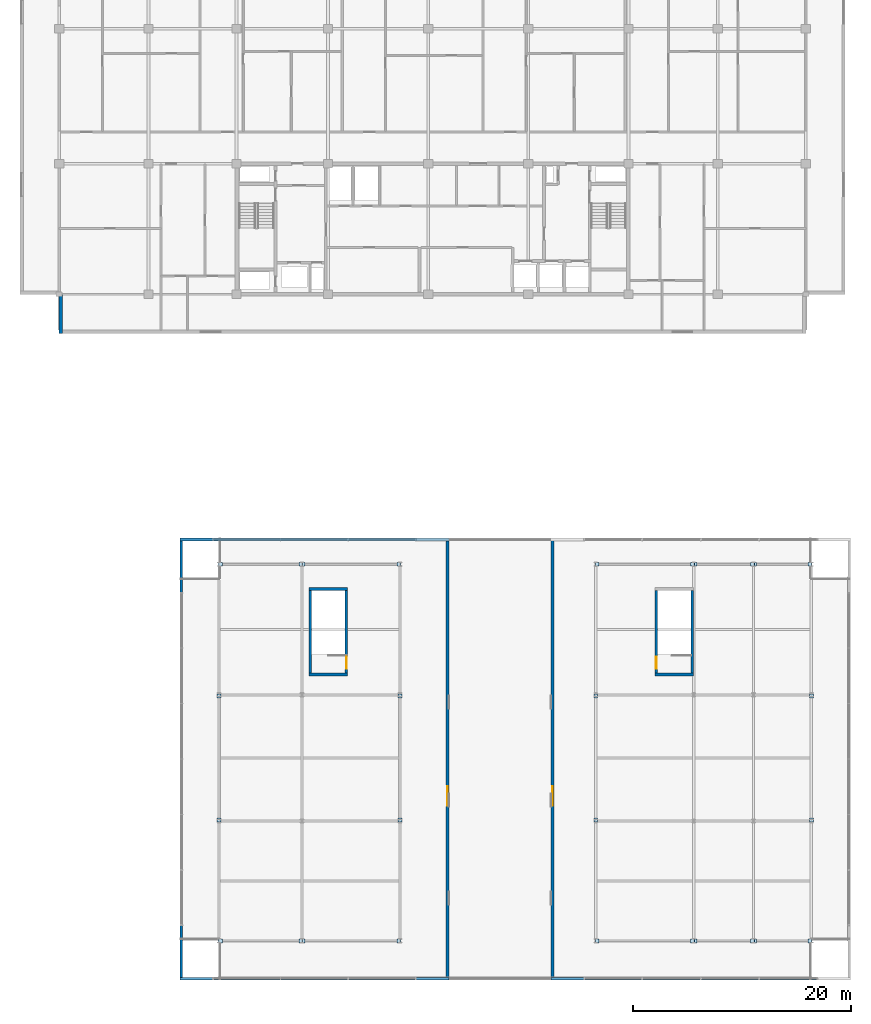
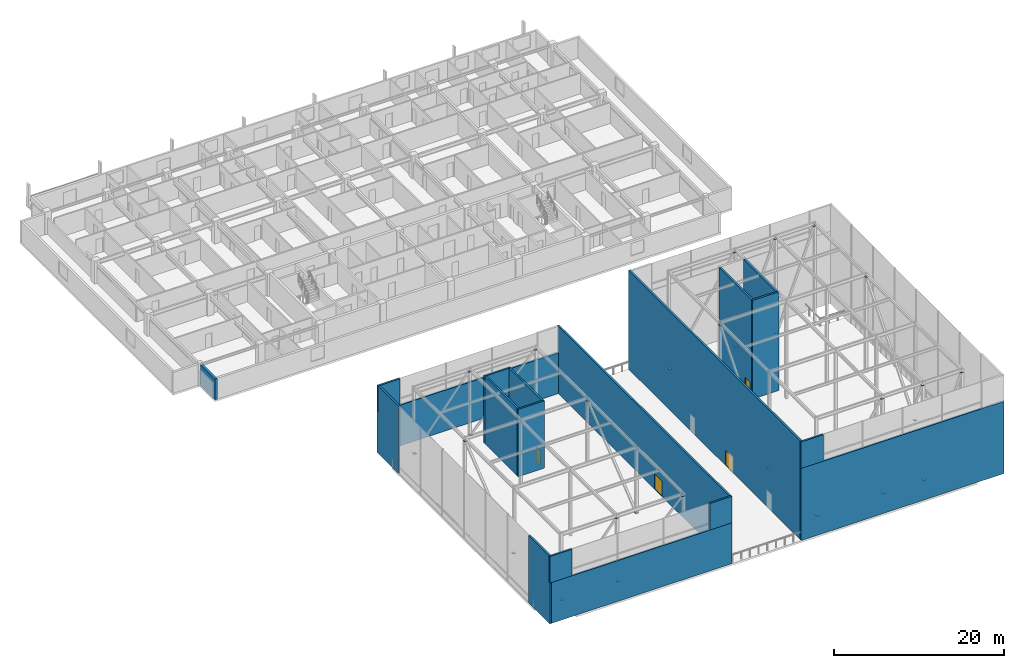
# One storey, part 32 of 42: 28 plates, 19 walls, 4 doors, 4 openings.
"""IFC4 building model written with IfcOpenShell, lengths in metres."""

from ifc_helpers import new_model, si_unit, direction, frame, frame_2d, origin, origin_2d, place, context, subcontext, project, spatial, rectangle, extrude, material, layer, layer_set, type_object, element, fill, save


model = new_model("IFC4")

# Units and contexts
model_context = context("Model", 3, precision=1e-05, world=origin(), true_north=direction((0.0, 1.0)))
body_context = subcontext(model_context, "Body", "Model", "MODEL_VIEW")
ifc_project = project(units=[si_unit("LENGTHUNIT", "METRE"), si_unit("AREAUNIT", "SQUARE_METRE"), si_unit("VOLUMEUNIT", "CUBIC_METRE"), si_unit("PLANEANGLEUNIT", "RADIAN"), si_unit("MASSUNIT", "GRAM", prefix="KILO")], contexts=[model_context])

# Site, building, storey
site_placement = place(None, origin())
site = spatial("IfcSite", under=ifc_project, at=site_placement, CompositionType="ELEMENT")
building_placement = place(site_placement, origin())
building = spatial("IfcBuilding", under=site, at=building_placement, Name="Korimba Cascade Residences", CompositionType="ELEMENT")
storey_placement = place(building_placement, frame((0.0, 0.0, 207.60009765625)))
storey = spatial("IfcBuildingStorey", under=building, at=storey_placement, Name="L60", CompositionType="ELEMENT", Elevation=207.60009765625)

# Plates
ifc_material_1 = material(Name="Steel S460", Category="steel")
ifc_layer_1 = layer(ifc_material_1, 0.028076171875)
ifc_layer_set_1 = layer_set([ifc_layer_1], Name="Steel S460")
plate_type = type_object("IfcPlateType", Name="PLT-ENDCAP-28", PredefinedType="USERDEFINED", material=ifc_layer_set_1)
for number, where, z_axis, x_axis, name in (
    (1, (74.60498046875, -4.199951171875, 0.005859375), (0.0, 0.0, 1.0), (1.0, 0.0, 0.0), "L60 Brace Welded End Connection Plate 130"),
    (2, (81.9951171875, -4.199951171875, 9.181640625), (0.0, 0.0, 1.0), (1.0, 0.0, 0.0), "L60 Brace Welded End Connection Plate 131"),
    (3, (82.205078125, -4.199951171875, 0.005859375), (0.0, 0.0, 1.0), (1.0, 0.0, 0.0), "L60 Brace Welded End Connection Plate 132"),
    (4, (90.9951171875, -4.199951171875, 9.181640625), (0.0, 0.0, 1.0), (1.0, 0.0, 0.0), "L60 Brace Welded End Connection Plate 133"),
    (5, (74.60498046875, 30.39990234375, 0.005859375), (0.0, 0.0, 1.0), (1.0, 0.0, 0.0), "L60 Brace Welded End Connection Plate 134"),
    (6, (81.9951171875, 30.39990234375, 9.181640625), (0.0, 0.0, 1.0), (1.0, 0.0, 0.0), "L60 Brace Welded End Connection Plate 135"),
    (7, (82.205078125, 30.39990234375, 0.005859375), (0.0, 0.0, 1.0), (1.0, 0.0, 0.0), "L60 Brace Welded End Connection Plate 136"),
    (8, (90.9951171875, 30.39990234375, 9.181640625), (0.0, 0.0, 1.0), (1.0, 0.0, 0.0), "L60 Brace Welded End Connection Plate 137"),
    (9, (74.5, 6.905029296875, 0.005859375), (0.0, 0.0, 1.0), (1.0, 0.0, 0.0), "L60 Brace Welded End Connection Plate 138"),
    (10, (74.5, 18.294921875, 9.181640625), (0.0, 0.0, 1.0), (1.0, 0.0, 0.0), "L60 Brace Welded End Connection Plate 139"),
    (11, (91.10009765625, 6.905029296875, 0.005859375), (0.0, 0.0, 1.0), (1.0, 0.0, 0.0), "L60 Brace Welded End Connection Plate 140"),
    (12, (91.10009765625, 18.294921875, 9.181640625), (0.0, 0.0, 1.0), (1.0, 0.0, 0.0), "L60 Brace Welded End Connection Plate 141"),
    (13, (109.205078125, -4.199951171875, 0.005859375), (0.0, 0.0, 1.0), (1.0, 0.0, 0.0), "L60 Brace Welded End Connection Plate 142"),
    (14, (117.9951171875, -4.199951171875, 13.681640625), (0.0, 0.0, 1.0), (1.0, 0.0, 0.0), "L60 Brace Welded End Connection Plate 143"),
    (15, (118.205078125, -4.199951171875, 0.005859375), (0.0, 0.0, 1.0), (1.0, 0.0, 0.0), "L60 Brace Welded End Connection Plate 144"),
    (16, (123.4951171875, -4.199951171875, 13.681640625), (0.0, 0.0, 1.0), (1.0, 0.0, 0.0), "L60 Brace Welded End Connection Plate 145"),
    (17, (123.705078125, -4.199951171875, 0.005859375), (0.0, 0.0, 1.0), (1.0, 0.0, 0.0), "L60 Brace Welded End Connection Plate 146"),
    (18, (128.794921875, -4.199951171875, 13.681640625), (0.0, 0.0, 1.0), (1.0, 0.0, 0.0), "L60 Brace Welded End Connection Plate 147"),
    (19, (109.205078125, 30.39990234375, 0.005859375), (0.0, 0.0, 1.0), (1.0, 0.0, 0.0), "L60 Brace Welded End Connection Plate 148"),
    (20, (117.9951171875, 30.39990234375, 13.681640625), (0.0, 0.0, 1.0), (1.0, 0.0, 0.0), "L60 Brace Welded End Connection Plate 149"),
    (21, (118.205078125, 30.39990234375, 0.005859375), (0.0, 0.0, 1.0), (1.0, 0.0, 0.0), "L60 Brace Welded End Connection Plate 150"),
    (22, (123.4951171875, 30.39990234375, 13.681640625), (0.0, 0.0, 1.0), (1.0, 0.0, 0.0), "L60 Brace Welded End Connection Plate 151"),
    (23, (123.705078125, 30.39990234375, 0.005859375), (0.0, 0.0, 1.0), (1.0, 0.0, 0.0), "L60 Brace Welded End Connection Plate 152"),
    (24, (128.794921875, 30.39990234375, 13.681640625), (0.0, 0.0, 1.0), (1.0, 0.0, 0.0), "L60 Brace Welded End Connection Plate 153"),
    (25, (109.10009765625, 6.905029296875, 0.005859375), (0.0, 0.0, 1.0), (1.0, 0.0, 0.0), "L60 Brace Welded End Connection Plate 154"),
    (26, (109.10009765625, 18.294921875, 13.681640625), (0.0, 0.0, 1.0), (1.0, 0.0, 0.0), "L60 Brace Welded End Connection Plate 155"),
    (27, (128.89990234375, 6.905029296875, 0.005859375), (0.0, 0.0, 1.0), (1.0, 0.0, 0.0), "L60 Brace Welded End Connection Plate 156"),
    (28, (128.89990234375, 18.294921875, 13.681640625), (0.0, 0.0, 1.0), (1.0, 0.0, 0.0), "L60 Brace Welded End Connection Plate 157"),
):
    element("IfcPlate", number, at=place(storey_placement, frame(where, z_axis=z_axis, x_axis=x_axis)), inside=storey, type_object=plate_type, Name=name, ObjectType="CAP PLATE", PredefinedType="USERDEFINED", context=body_context, shape_type="SweptSolid", body=[
        extrude(rectangle(XDim=0.360107421875, YDim=0.360107421875, at=origin_2d()), origin(), (0.0, 0.0, 1.0), 0.028076171875),
    ])

# Walls
ifc_material_2 = material(Name="Precast concrete C40/50", Category="concrete")
ifc_layer_2 = layer(ifc_material_2, 0.25)
ifc_layer_set_2 = layer_set([ifc_layer_2], Name="Precast concrete C40/50")
wall_type_1 = type_object("IfcWallType", Name="EW-PLNT-250", PredefinedType="SHEAR", material=ifc_layer_set_2)
wall_1_placement = place(storey_placement, frame((70.89990234375, -7.675048828125, 0.0), z_axis=(0.0, 0.0, 1.0), x_axis=(1.0, 0.0, 0.0)))
element("IfcWall", 29, at=wall_1_placement, inside=storey, type_object=wall_type_1, Name="L60 Crown W South Stone Cladding Wall", PredefinedType="SHEAR", context=body_context, shape_type="SweptSolid", body=[
    extrude(rectangle(XDim=24.7001953125, YDim=0.25, at=frame_2d((12.35009765625, 0.0))), origin(), (0.0, 0.0, 1.0), 5.849853515625),
])
for number, where, z_axis, x_axis, name in (
    (30, (70.89990234375, -7.675048828125, 5.849853515625), (0.0, 0.0, 1.0), (1.0, 0.0, 0.0), "L60 Crown W South Clerestory Pier 1"),
    (31, (92.60009765625, -7.675048828125, 5.849853515625), (0.0, 0.0, 1.0), (1.0, 0.0, 0.0), "L60 Crown W South Clerestory Pier 2"),
):
    element("IfcWall", number, at=place(storey_placement, frame(where, z_axis=z_axis, x_axis=x_axis)), inside=storey, type_object=wall_type_1, Name=name, PredefinedType="SHEAR", context=body_context, shape_type="SweptSolid", body=[
        extrude(rectangle(XDim=3.0, YDim=0.25, at=frame_2d((1.5, 0.0))), origin(), (0.0, 0.0, 1.0), 3.800048828125),
    ])
wall_2_placement = place(storey_placement, frame((95.60009765625, 32.675048828125, 0.0), z_axis=(0.0, 0.0, 1.0), x_axis=(-1.0, 0.0, 0.0)))
element("IfcWall", 32, at=wall_2_placement, inside=storey, type_object=wall_type_1, Name="L60 Crown W North Stone Cladding Wall", PredefinedType="SHEAR", context=body_context, shape_type="SweptSolid", body=[
    extrude(rectangle(XDim=24.7001953125, YDim=0.25, at=frame_2d((12.35009765625, 0.0))), origin(), (0.0, 0.0, 1.0), 5.849853515625),
])
wall_3_placement = place(storey_placement, frame((73.89990234375, 32.675048828125, 5.849853515625), z_axis=(0.0, 0.0, 1.0), x_axis=(-1.0, 0.0, 0.0)))
element("IfcWall", 33, at=wall_3_placement, inside=storey, type_object=wall_type_1, Name="L60 Crown W North Clerestory Pier 2", PredefinedType="SHEAR", context=body_context, shape_type="SweptSolid", body=[
    extrude(rectangle(XDim=3.0, YDim=0.25, at=frame_2d((1.5, 0.0))), origin(), (0.0, 0.0, 1.0), 3.800048828125),
])
for number, where, z_axis, x_axis, name in (
    (34, (71.02490234375, -7.800048828125, 0.0), (0.0, 0.0, 1.0), (0.0, 1.0, 0.0), "L60 Crown W Outer Corner Pier 1"),
    (35, (71.02490234375, 27.800048828125, 0.0), (0.0, 0.0, 1.0), (0.0, 1.0, 0.0), "L60 Crown W Outer Corner Pier 2"),
):
    element("IfcWall", number, at=place(storey_placement, frame(where, z_axis=z_axis, x_axis=x_axis)), inside=storey, type_object=wall_type_1, Name=name, PredefinedType="SHEAR", context=body_context, shape_type="SweptSolid", body=[
        extrude(rectangle(XDim=5.0, YDim=0.25, at=frame_2d((2.5, 0.0))), origin(), (0.0, 0.0, 1.0), 9.64990234375),
    ])

# Wall, opening, door
wall_4_placement = place(storey_placement, frame((95.47509765625, -7.800048828125, 0.0), z_axis=(0.0, 0.0, 1.0), x_axis=(0.0, 1.0, 0.0)))
wall_4 = element("IfcWall", 36, at=wall_4_placement, inside=storey, type_object=wall_type_1, Name="L60 Crown W Cleft Stone Wall", PredefinedType="SHEAR", context=body_context, shape_type="SweptSolid", body=[
    extrude(rectangle(XDim=40.60009765625, YDim=0.25, at=frame_2d((20.300048828125, 0.0))), origin(), (0.0, 0.0, 1.0), 9.64990234375),
])
opening_1_placement = place(wall_4_placement, frame((16.0, 0.0, 0.0)))
opening_1 = element("IfcOpeningElement", 37, at=opening_1_placement, cuts=wall_4, Name="Opening D-EX2", PredefinedType="OPENING", context=body_context, shape_type="SweptSolid", body=[
    extrude(rectangle(XDim=1.800048828125, YDim=2.199951171875, at=frame_2d((0.89990234375, 1.10009765625))), frame((0.0, 0.135009765625, 0.0), z_axis=(0.0, -1.0, 0.0), x_axis=(1.0, 0.0, 0.0)), (0.0, 0.0, 1.0), 0.27001953125),
])
ifc_material_3 = material(Name="Galvanised Steel Fire Exit Door", Category="steel")
door_type_1 = type_object("IfcDoorType", Name="DR-EXT-EXIT", OperationType="NOTDEFINED", PredefinedType="DOOR", material=ifc_material_3)
door_1_placement = place(opening_1_placement, origin())
door_1 = element("IfcDoor", 38, at=door_1_placement, inside=storey, type_object=door_type_1, Name="L60 Crown W Sky-Slot Maintenance Door", OperationType="DOUBLE_DOOR_SINGLE_SWING", OverallHeight=2.199951171875, OverallWidth=1.800048828125, PredefinedType="DOOR", context=body_context, shape_type="SweptSolid", body=[
    extrude(rectangle(XDim=1.800048828125, YDim=2.199951171875, at=frame_2d((0.89990234375, 1.10009765625))), frame((0.0, 0.02490234375, 0.0), z_axis=(0.0, -1.0, 0.0), x_axis=(1.0, 0.0, 0.0)), (0.0, 0.0, 1.0), 0.050048828125),
])
fill(opening_1, door_1)

# Walls
wall_5_placement = place(storey_placement, frame((105.0, -7.675048828125, 0.0), z_axis=(0.0, 0.0, 1.0), x_axis=(1.0, 0.0, 0.0)))
element("IfcWall", 39, at=wall_5_placement, inside=storey, type_object=wall_type_1, Name="L60 Crown E South Stone Cladding Wall", PredefinedType="SHEAR", context=body_context, shape_type="SweptSolid", body=[
    extrude(rectangle(XDim=27.5, YDim=0.25, at=frame_2d((13.75, 0.0))), origin(), (0.0, 0.0, 1.0), 10.349853515625),
])
wall_6_placement = place(storey_placement, frame((105.0, -7.675048828125, 10.349853515625), z_axis=(0.0, 0.0, 1.0), x_axis=(1.0, 0.0, 0.0)))
element("IfcWall", 40, at=wall_6_placement, inside=storey, type_object=wall_type_1, Name="L60 Crown E South Clerestory Pier 1", PredefinedType="SHEAR", context=body_context, shape_type="SweptSolid", body=[
    extrude(rectangle(XDim=3.0, YDim=0.25, at=frame_2d((1.5, 0.0))), origin(), (0.0, 0.0, 1.0), 3.800048828125),
])

# Wall, opening, door
wall_7_placement = place(storey_placement, frame((105.125, -7.800048828125, 0.0), z_axis=(0.0, 0.0, 1.0), x_axis=(0.0, 1.0, 0.0)))
wall_7 = element("IfcWall", 41, at=wall_7_placement, inside=storey, type_object=wall_type_1, Name="L60 Crown E Cleft Stone Wall", PredefinedType="SHEAR", context=body_context, shape_type="SweptSolid", body=[
    extrude(rectangle(XDim=40.60009765625, YDim=0.25, at=frame_2d((20.300048828125, 0.0))), origin(), (0.0, 0.0, 1.0), 14.14990234375),
])
opening_2_placement = place(wall_7_placement, frame((16.0, 0.0, 0.0)))
opening_2 = element("IfcOpeningElement", 42, at=opening_2_placement, cuts=wall_7, Name="Opening D-EX2", PredefinedType="OPENING", context=body_context, shape_type="SweptSolid", body=[
    extrude(rectangle(XDim=1.800048828125, YDim=2.199951171875, at=frame_2d((0.89990234375, 1.10009765625))), frame((0.0, 0.135009765625, 0.0), z_axis=(0.0, -1.0, 0.0), x_axis=(1.0, 0.0, 0.0)), (0.0, 0.0, 1.0), 0.27001953125),
])
door_2_placement = place(opening_2_placement, origin())
door_2 = element("IfcDoor", 43, at=door_2_placement, inside=storey, type_object=door_type_1, Name="L60 Crown E Sky-Slot Maintenance Door", OperationType="DOUBLE_DOOR_SINGLE_SWING", OverallHeight=2.199951171875, OverallWidth=1.800048828125, PredefinedType="DOOR", context=body_context, shape_type="SweptSolid", body=[
    extrude(rectangle(XDim=1.800048828125, YDim=2.199951171875, at=frame_2d((0.89990234375, 1.10009765625))), frame((0.0, 0.02490234375, 0.0), z_axis=(0.0, -1.0, 0.0), x_axis=(1.0, 0.0, 0.0)), (0.0, 0.0, 1.0), 0.050048828125),
])
fill(opening_2, door_2)

# Walls
ifc_layer_3 = layer(ifc_material_2, 0.300048828125)
ifc_layer_set_3 = layer_set([ifc_layer_3], Name="Precast concrete C40/50")
wall_type_2 = type_object("IfcWallType", Name="EW-STONE-300", PredefinedType="STANDARD", material=ifc_layer_set_3)
wall_8_placement = place(storey_placement, frame((59.949951171875, 55.199951171875, 0.0), z_axis=(0.0, 0.0, 1.0), x_axis=(0.0, -1.0, 0.0)))
element("IfcWall", 44, at=wall_8_placement, inside=storey, type_object=wall_type_2, Name="L60 T1 Perimeter Stone Wall E11", PredefinedType="STANDARD", context=body_context, shape_type="SweptSolid", body=[
    extrude(rectangle(XDim=3.599853515625, YDim=0.300048828125, at=frame_2d((1.7998046875, 0.0))), origin(), (0.0, 0.0, 1.0), 2.969970703125),
])
ifc_material_4 = material(Name="Concrete C50/60", Category="concrete")
ifc_layer_4 = layer(ifc_material_4, 0.25)
ifc_layer_set_4 = layer_set([ifc_layer_4], Name="Concrete C50/60")
wall_type_3 = type_object("IfcWallType", Name="WAL-SHAFT-250", PredefinedType="SHEAR", material=ifc_layer_set_4)
wall_9_placement = place(storey_placement, frame((82.875, 20.39990234375, 0.0), z_axis=(0.0, 0.0, 1.0), x_axis=(0.0, 1.0, 0.0)))
element("IfcWall", 45, at=wall_9_placement, inside=storey, type_object=wall_type_3, Name="L60 Core Shear Wall CW-L60-STE1W", PredefinedType="SHEAR", context=body_context, shape_type="SweptSolid", body=[
    extrude(rectangle(XDim=7.60009765625, YDim=0.25, at=frame_2d((3.800048828125, 0.0))), origin(), (0.0, 0.0, 1.0), 9.64990234375),
])
for number, where, z_axis, x_axis, name in (
    (46, (82.75, 20.27490234375, 0.0), (0.0, 0.0, 1.0), (1.0, 0.0, 0.0), "L60 Core Shear Wall CW-L60-STE1S"),
    (47, (82.75, 28.125, 0.0), (0.0, 0.0, 1.0), (1.0, 0.0, 0.0), "L60 Core Shear Wall CW-L60-STE1N"),
):
    element("IfcWall", number, at=place(storey_placement, frame(where, z_axis=z_axis, x_axis=x_axis)), inside=storey, type_object=wall_type_3, Name=name, PredefinedType="SHEAR", context=body_context, shape_type="SweptSolid", body=[
        extrude(rectangle(XDim=3.56005859375, YDim=0.25, at=frame_2d((1.780029296875, 0.0))), origin(), (0.0, 0.0, 1.0), 9.64990234375),
    ])

# Wall, opening, door
wall_10_placement = place(storey_placement, frame((86.18505859375, 20.39990234375, 0.0), z_axis=(0.0, 0.0, 1.0), x_axis=(0.0, 1.0, 0.0)))
wall_10 = element("IfcWall", 48, at=wall_10_placement, inside=storey, type_object=wall_type_3, Name="L60 Core Shear Wall CW-L60-STE1E", PredefinedType="SHEAR", context=body_context, shape_type="SweptSolid", body=[
    extrude(rectangle(XDim=7.60009765625, YDim=0.25, at=frame_2d((3.800048828125, 0.0))), origin(), (0.0, 0.0, 1.0), 9.64990234375),
])
opening_3_placement = place(wall_10_placement, frame((0.39990234375, 0.0, 0.0)))
opening_3 = element("IfcOpeningElement", 49, at=opening_3_placement, cuts=wall_10, Name="Opening D-FD1", PredefinedType="OPENING", context=body_context, shape_type="SweptSolid", body=[
    extrude(rectangle(XDim=1.10009765625, YDim=2.10009765625, at=frame_2d((0.550048828125, 1.050048828125))), frame((0.0, 0.135009765625, 0.0), z_axis=(0.0, -1.0, 0.0), x_axis=(1.0, 0.0, 0.0)), (0.0, 0.0, 1.0), 0.27001953125),
])
ifc_material_5 = material(Name="Fire-Rated Steel Core Door", Category="steel")
door_type_2 = type_object("IfcDoorType", Name="DR-FD120-1100", OperationType="NOTDEFINED", PredefinedType="DOOR", material=ifc_material_5)
door_3_placement = place(opening_3_placement, origin())
door_3 = element("IfcDoor", 50, at=door_3_placement, inside=storey, type_object=door_type_2, Name="L60 Stair ST-E1 Crown Door", OperationType="SINGLE_SWING_LEFT", OverallHeight=2.10009765625, OverallWidth=1.10009765625, PredefinedType="DOOR", context=body_context, shape_type="SweptSolid", body=[
    extrude(rectangle(XDim=1.10009765625, YDim=2.10009765625, at=frame_2d((0.550048828125, 1.050048828125))), frame((0.0, 0.02490234375, 0.0), z_axis=(0.0, -1.0, 0.0), x_axis=(1.0, 0.0, 0.0)), (0.0, 0.0, 1.0), 0.050048828125),
])
fill(opening_3, door_3)

# Walls
wall_11_placement = place(storey_placement, frame((117.965087890625, 20.39990234375, 0.0), z_axis=(0.0, 0.0, 1.0), x_axis=(0.0, 1.0, 0.0)))
element("IfcWall", 51, at=wall_11_placement, inside=storey, type_object=wall_type_3, Name="L60 Core Shear Wall CW-L60-STE2E", PredefinedType="SHEAR", context=body_context, shape_type="SweptSolid", body=[
    extrude(rectangle(XDim=7.60009765625, YDim=0.25, at=frame_2d((3.800048828125, 0.0))), origin(), (0.0, 0.0, 1.0), 14.14990234375),
])
wall_12_placement = place(storey_placement, frame((114.530029296875, 20.27490234375, 0.0), z_axis=(0.0, 0.0, 1.0), x_axis=(1.0, 0.0, 0.0)))
element("IfcWall", 52, at=wall_12_placement, inside=storey, type_object=wall_type_3, Name="L60 Core Shear Wall CW-L60-STE2S", PredefinedType="SHEAR", context=body_context, shape_type="SweptSolid", body=[
    extrude(rectangle(XDim=3.56005859375, YDim=0.25, at=frame_2d((1.780029296875, 0.0))), origin(), (0.0, 0.0, 1.0), 14.14990234375),
])

# Wall, opening, door
wall_13_placement = place(storey_placement, frame((114.655029296875, 20.39990234375, 0.0), z_axis=(0.0, 0.0, 1.0), x_axis=(0.0, 1.0, 0.0)))
wall_13 = element("IfcWall", 53, at=wall_13_placement, inside=storey, type_object=wall_type_3, Name="L60 Core Shear Wall CW-L60-STE2W", PredefinedType="SHEAR", context=body_context, shape_type="SweptSolid", body=[
    extrude(rectangle(XDim=7.60009765625, YDim=0.25, at=frame_2d((3.800048828125, 0.0))), origin(), (0.0, 0.0, 1.0), 14.14990234375),
])
opening_4_placement = place(wall_13_placement, frame((0.39990234375, 0.0, 0.0)))
opening_4 = element("IfcOpeningElement", 54, at=opening_4_placement, cuts=wall_13, Name="Opening D-FD1", PredefinedType="OPENING", context=body_context, shape_type="SweptSolid", body=[
    extrude(rectangle(XDim=1.10009765625, YDim=2.10009765625, at=frame_2d((0.550048828125, 1.050048828125))), frame((0.0, 0.135009765625, 0.0), z_axis=(0.0, -1.0, 0.0), x_axis=(1.0, 0.0, 0.0)), (0.0, 0.0, 1.0), 0.27001953125),
])
door_4_placement = place(opening_4_placement, origin())
door_4 = element("IfcDoor", 55, at=door_4_placement, inside=storey, type_object=door_type_2, Name="L60 Stair ST-E2 Crown Door", OperationType="SINGLE_SWING_RIGHT", OverallHeight=2.10009765625, OverallWidth=1.10009765625, PredefinedType="DOOR", context=body_context, shape_type="SweptSolid", body=[
    extrude(rectangle(XDim=1.10009765625, YDim=2.10009765625, at=frame_2d((0.550048828125, 1.050048828125))), frame((0.0, 0.02490234375, 0.0), z_axis=(0.0, -1.0, 0.0), x_axis=(1.0, 0.0, 0.0)), (0.0, 0.0, 1.0), 0.050048828125),
])
fill(opening_4, door_4)

save(model, "model.ifc")
